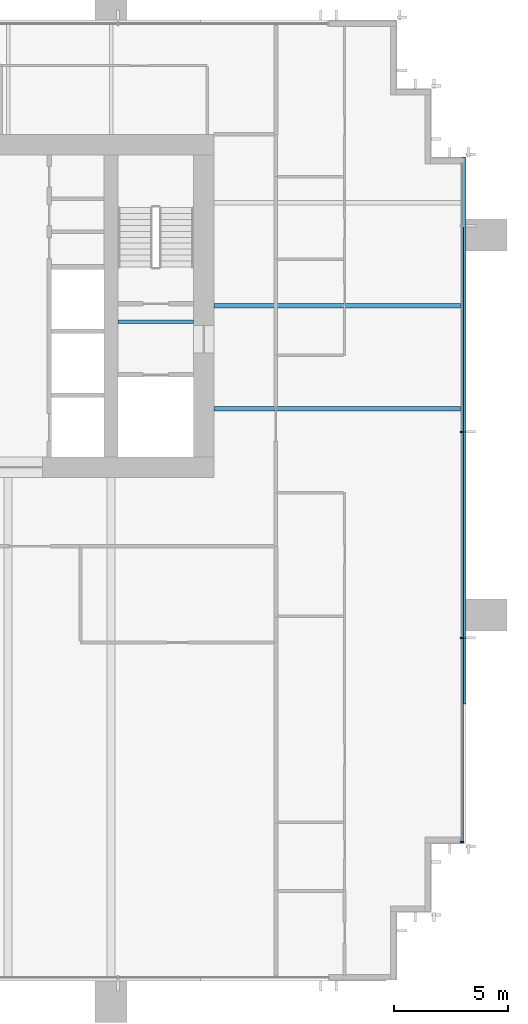
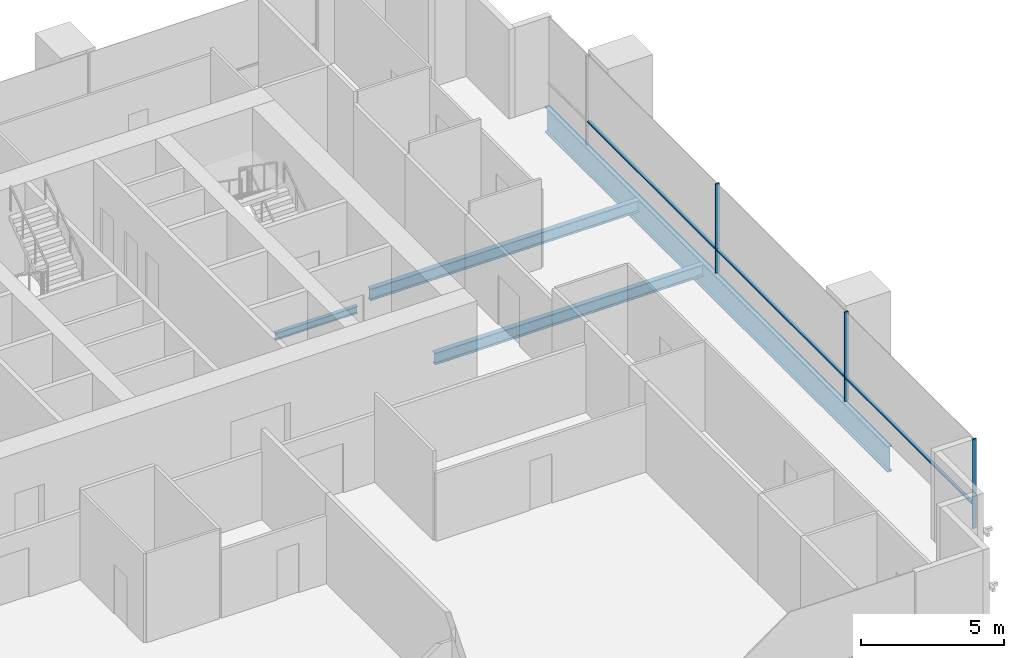
# One storey, part 6 of 16: 6 members, 4 beams, 1 element without a shape of its own.
"""IFC4 building model written with IfcOpenShell, lengths in metres."""

import ifcopenshell
import ifcopenshell.guid

model = None  # the IFC model being written
_history = None  # IfcOwnerHistory: only IFC2X3 demands one
_inside = {}  # id of a spatial element -> (the spatial element, [elements in it])
_under = {}  # id of a project, library or spatial element -> (it, [spatial elements below it])
_declared = {}  # id of a project -> (the project, [libraries it declares])
_typed = {}  # id of a type object -> (the type object, [elements of that type])
_made_of = {}  # id of a material, layer set ... -> (it, [elements and type objects made of it])


def new_model(schema):
    """Start an empty IFC model of exactly this schema.

    Asked for "IFC4X3", IfcOpenShell would pick the latest addendum, in which some entities
    have other attributes; the version numbers below select the first issue.
    IFC2X3 requires an IfcOwnerHistory on every rooted entity: one is made here for all.
    """
    global model, _history
    if schema == "IFC4X3":
        model = ifcopenshell.file(schema_version=(4, 3, 0, 0))
    else:
        model = ifcopenshell.file(schema=schema)
    _inside.clear()
    _under.clear()
    _declared.clear()
    _typed.clear()
    _made_of.clear()
    _history = None
    if model.schema == "IFC2X3":
        org = make("IfcOrganization", Name="unknown")
        user = make(
            "IfcPersonAndOrganization",
            ThePerson=make("IfcPerson", FamilyName="unknown"),
            TheOrganization=org,
        )
        app = make(
            "IfcApplication",
            ApplicationDeveloper=org,
            Version="unknown",
            ApplicationFullName="unknown",
            ApplicationIdentifier="unknown",
        )
        _history = make(
            "IfcOwnerHistory",
            OwningUser=user,
            OwningApplication=app,
            ChangeAction="ADDED",
            CreationDate=0,
        )
    return model


def make(cls, **values):
    """One entity of the class cls with the attributes given. An attribute that is None is left unset."""
    return model.create_entity(
        cls, **{name: value for name, value in values.items() if value is not None}
    )


def rooted(cls, **values):
    """An entity with a GlobalId (a new one), such as an element, a storey or a relation."""
    return make(cls, GlobalId=ifcopenshell.guid.new(), OwnerHistory=_history, **values)


def si_unit(unit_type, name, prefix=None):
    """IfcSIUnit, for example si_unit("LENGTHUNIT", "METRE", prefix="MILLI")."""
    return make("IfcSIUnit", UnitType=unit_type, Prefix=prefix, Name=name)


def assignment(units):
    """IfcUnitAssignment: the units of a project."""
    return None if units is None else make("IfcUnitAssignment", Units=units)


def point(xyz):
    """IfcCartesianPoint."""
    return None if xyz is None else make("IfcCartesianPoint", Coordinates=xyz)


def direction(xyz):
    """IfcDirection."""
    return None if xyz is None else make("IfcDirection", DirectionRatios=xyz)


def frame(location, z_axis=None, x_axis=None):
    """IfcAxis2Placement3D, a coordinate frame: its origin and axes. An axis left out is left unset."""
    return make(
        "IfcAxis2Placement3D",
        Location=point(location),
        Axis=direction(z_axis),
        RefDirection=direction(x_axis),
    )


def frame_2d(location, x_axis=None):
    """IfcAxis2Placement2D, a coordinate frame in the plane: its origin and x axis."""
    return make(
        "IfcAxis2Placement2D", Location=point(location), RefDirection=direction(x_axis)
    )


def origin():
    """The frame at (0, 0, 0) with its axes left unset."""
    return frame((0.0, 0.0, 0.0))


def origin_2d():
    """The frame at (0, 0) in the plane with its x axis left unset."""
    return frame_2d((0.0, 0.0))


def place(relative_to, where):
    """IfcLocalPlacement: puts the frame where relative to a parent placement (None: the world)."""
    return make(
        "IfcLocalPlacement", PlacementRelTo=relative_to, RelativePlacement=where
    )


def context(
    kind, dimensions, precision=None, world=None, true_north=None, identifier=None
):
    """IfcGeometricRepresentationContext, for example the 3D "Model" context."""
    return make(
        "IfcGeometricRepresentationContext",
        ContextIdentifier=identifier,
        ContextType=kind,
        CoordinateSpaceDimension=dimensions,
        Precision=precision,
        WorldCoordinateSystem=world,
        TrueNorth=true_north,
    )


def subcontext(parent, identifier, kind, view, scale=None):
    """IfcGeometricRepresentationSubContext, for example "Body" below "Model"."""
    return make(
        "IfcGeometricRepresentationSubContext",
        ContextIdentifier=identifier,
        ContextType=kind,
        ParentContext=parent,
        TargetScale=scale,
        TargetView=view,
    )


def project(units=None, contexts=None):
    """IfcProject with its units and contexts."""
    return rooted(
        "IfcProject",
        Name="project",
        RepresentationContexts=contexts,
        UnitsInContext=assignment(units),
    )


def spatial(cls, under=None, at=None, **own):
    """A site, building, storey or space (cls), placed at a placement, below another one or the project."""
    s = rooted(cls, ObjectPlacement=at, **own)
    if under is not None:
        _under.setdefault(under.id(), (under, []))[1].append(s)
    return s


def profile(cls, at=None, kind="AREA", **sizes):
    """A parametric profile (cls). Its sizes go by their IFC names, for example OverallWidth=200.0."""
    return make(cls, ProfileType=kind, Position=at, **sizes)


def rectangle(**sizes):
    """IfcRectangleProfileDef."""
    return profile("IfcRectangleProfileDef", **sizes)


def i_section(**sizes):
    """IfcIShapeProfileDef."""
    return profile("IfcIShapeProfileDef", **sizes)


def extrude(swept, where, along, depth):
    """IfcExtrudedAreaSolid: the profile swept, set in the frame where, extruded along a direction by depth."""
    return make(
        "IfcExtrudedAreaSolid",
        SweptArea=swept,
        Position=where,
        ExtrudedDirection=direction(along),
        Depth=depth,
    )


def shape(context_of_items, identifier, shape_type, items):
    """IfcShapeRepresentation: the items that make up one representation, for example the "Body"."""
    return make(
        "IfcShapeRepresentation",
        ContextOfItems=context_of_items,
        RepresentationIdentifier=identifier,
        RepresentationType=shape_type,
        Items=items,
    )


def material(Name=None, Category=None):
    """IfcMaterial."""
    return make("IfcMaterial", Name=Name, Category=Category)


def material_profile(
    of_material, cross_section, Name=None, Category=None, Priority=None
):
    """IfcMaterialProfile: a cross section and its material."""
    return make(
        "IfcMaterialProfile",
        Name=Name,
        Material=of_material,
        Profile=cross_section,
        Priority=Priority,
        Category=Category,
    )


def profile_set(profiles, Name=None, composite=None):
    """IfcMaterialProfileSet."""
    return make(
        "IfcMaterialProfileSet",
        Name=Name,
        MaterialProfiles=profiles,
        CompositeProfile=composite,
    )


def made_of(thing, what):
    """Note that an element or type object is made of a material, layer set ...; save() writes the relation."""
    if what is not None:
        _made_of.setdefault(what.id(), (what, []))[1].append(thing)
    return thing


def type_object(cls, material=None, **own):
    """A type object (cls), such as IfcWallType, which elements share."""
    return made_of(rooted(cls, **own), material)


def element(
    cls,
    number,
    at=None,
    inside=None,
    cuts=None,
    type_object=None,
    material=None,
    context=None,
    identifier="Body",
    shape_type=None,
    held_by="IfcProductDefinitionShape",
    body=None,
    shapes=None,
    **own,
):
    """One element of the class cls, such as IfcWall. Its Tag is "e" and its number.

    at: its placement. inside: the storey or other place that contains it. cuts: it is an
    opening in that element (IfcRelVoidsElement). A single representation is given by context,
    identifier, shape_type and body (its items); several are given by shapes. held_by: the class
    of the entity that holds the representations. save() writes the other relations.
    """
    e = rooted(cls, Tag="e%d" % number, ObjectPlacement=at, **own)
    if body is not None:
        shapes = [shape(context, identifier, shape_type, body)]
    if shapes is not None:
        e.Representation = make(held_by, Representations=shapes)
    if inside is not None:
        _inside.setdefault(inside.id(), (inside, []))[1].append(e)
    if cuts is not None:
        rooted(
            "IfcRelVoidsElement", RelatingBuildingElement=cuts, RelatedOpeningElement=e
        )
    if type_object is not None:
        _typed.setdefault(type_object.id(), (type_object, []))[1].append(e)
    return made_of(e, material)


def aggregate(whole, parts):
    """IfcRelAggregates: a whole, such as a stair, and the parts it consists of."""
    return rooted("IfcRelAggregates", RelatingObject=whole, RelatedObjects=parts)


def save(model, path):
    """Write the relations noted so far, then the file.

    IfcRelAggregates (storeys below a building ...), IfcRelContainedInSpatialStructure (elements
    in a storey), IfcRelDefinesByType, IfcRelAssociatesMaterial and IfcRelDeclares: one each for
    every whole, place, type object, material and project.
    """
    for whole, parts in _under.values():
        aggregate(whole, parts)
    for where, things in _inside.values():
        rooted(
            "IfcRelContainedInSpatialStructure",
            RelatedElements=things,
            RelatingStructure=where,
        )
    for kind, things in _typed.values():
        rooted("IfcRelDefinesByType", RelatedObjects=things, RelatingType=kind)
    for what, things in _made_of.values():
        rooted("IfcRelAssociatesMaterial", RelatedObjects=things, RelatingMaterial=what)
    for by, libraries in _declared.values():
        rooted("IfcRelDeclares", RelatingContext=by, RelatedDefinitions=libraries)
    model.write(path)


model = new_model("IFC4")

# Units and contexts
model_context = context("Model", 3, precision=1e-05, world=origin(), true_north=direction((0.0, 1.0)))
body_context = subcontext(model_context, "Body", "Model", "MODEL_VIEW")
ifc_project = project(units=[si_unit("LENGTHUNIT", "METRE"), si_unit("AREAUNIT", "SQUARE_METRE"), si_unit("VOLUMEUNIT", "CUBIC_METRE"), si_unit("PLANEANGLEUNIT", "RADIAN"), si_unit("MASSUNIT", "GRAM", prefix="KILO")], contexts=[model_context])

# Site, building, storey
site_placement = place(None, origin())
site = spatial("IfcSite", under=ifc_project, at=site_placement, CompositionType="ELEMENT")
building_placement = place(site_placement, origin())
building = spatial("IfcBuilding", under=site, at=building_placement, Name="Rattan Terrace Tower", CompositionType="ELEMENT")
storey_placement = place(building_placement, frame((0.0, 0.0, 130.10009765625)))
storey = spatial("IfcBuildingStorey", under=building, at=storey_placement, Name="L29", CompositionType="ELEMENT", Elevation=130.10009765625)

# Curtain wall, members
ifc_material_1 = material(Name="Aluminium and glass", Category="aluminium")
curtain_wall_type = type_object("IfcCurtainWallType", Name="Facade Unitised Curtain Wall", PredefinedType="NOTDEFINED", material=ifc_material_1)
curtain_wall_placement = place(storey_placement, origin())
curtain_wall = element("IfcCurtainWall", 1, at=curtain_wall_placement, inside=storey, type_object=curtain_wall_type, Name="Curtain wall L29-1", PredefinedType="NOTDEFINED")
ifc_material_2 = material(Name="Aluminium", Category="aluminium")
ifc_material_profile_1 = material_profile(ifc_material_2, rectangle(XDim=0.06005859375, YDim=0.159912109375, at=origin_2d()), Name="Aluminium 60x160")
ifc_profile_set_1 = profile_set([ifc_material_profile_1], Name="Aluminium")
member_type_1 = type_object("IfcMemberType", Name="Facade CW Mullion 60x160", PredefinedType="MULLION", material=ifc_profile_set_1)
member_1_placement = place(storey_placement, frame((28.830078125, -23.425048828125, 0.0), z_axis=(0.0, 0.0, 1.0), x_axis=(0.0, 1.0, 0.0)))
member_1 = element("IfcMember", 2, at=member_1_placement, type_object=member_type_1, Name="Mullion cwl-L29-001.1", PredefinedType="MULLION", context=body_context, shape_type="SweptSolid", body=[
    extrude(rectangle(XDim=0.06005859375, YDim=0.159912109375, at=origin_2d()), origin(), (0.0, 0.0, 1.0), 3.7998046875),
])
member_2_placement = place(storey_placement, frame((28.830078125, -14.5, 0.0), z_axis=(0.0, 0.0, 1.0), x_axis=(0.0, 1.0, 0.0)))
member_2 = element("IfcMember", 3, at=member_2_placement, type_object=member_type_1, Name="Mullion cwl-L29-001.2", PredefinedType="MULLION", context=body_context, shape_type="SweptSolid", body=[
    extrude(rectangle(XDim=0.06005859375, YDim=0.159912109375, at=origin_2d()), origin(), (0.0, 0.0, 1.0), 3.7998046875),
])
member_3_placement = place(storey_placement, frame((28.830078125, -5.5, 0.0), z_axis=(0.0, 0.0, 1.0), x_axis=(0.0, 1.0, 0.0)))
member_3 = element("IfcMember", 4, at=member_3_placement, type_object=member_type_1, Name="Mullion cwl-L29-001.3", PredefinedType="MULLION", context=body_context, shape_type="SweptSolid", body=[
    extrude(rectangle(XDim=0.06005859375, YDim=0.159912109375, at=origin_2d()), origin(), (0.0, 0.0, 1.0), 3.7998046875),
])
ifc_material_3 = material(Name="Aluminium", Category="aluminium")
ifc_material_profile_2 = material_profile(ifc_material_3, rectangle(XDim=0.1201171875, YDim=0.06005859375, at=origin_2d()), Name="Aluminium 120x60")
ifc_profile_set_2 = profile_set([ifc_material_profile_2], Name="Aluminium")
member_type_2 = type_object("IfcMemberType", Name="Facade CW Transom 120x60", PredefinedType="USERDEFINED", material=ifc_profile_set_2)
member_4_placement = place(storey_placement, frame((28.830078125, -23.39501953125, 1.0), z_axis=(0.0, 1.0, 0.0), x_axis=(-1.0, 0.0, 0.0)))
member_4 = element("IfcMember", 5, at=member_4_placement, type_object=member_type_2, Name="Transom cwl-L29-001.1", ObjectType="TRANSOM", PredefinedType="USERDEFINED", context=body_context, shape_type="SweptSolid", body=[
    extrude(rectangle(XDim=0.1201171875, YDim=0.06005859375, at=origin_2d()), origin(), (0.0, 0.0, 1.0), 8.864990234375),
])
member_5_placement = place(storey_placement, frame((28.830078125, -14.469970703125, 1.0), z_axis=(0.0, 1.0, 0.0), x_axis=(-1.0, 0.0, 0.0)))
member_5 = element("IfcMember", 6, at=member_5_placement, type_object=member_type_2, Name="Transom cwl-L29-001.2", ObjectType="TRANSOM", PredefinedType="USERDEFINED", context=body_context, shape_type="SweptSolid", body=[
    extrude(rectangle(XDim=0.1201171875, YDim=0.06005859375, at=origin_2d()), origin(), (0.0, 0.0, 1.0), 8.93994140625),
])
member_6_placement = place(storey_placement, frame((28.830078125, -5.469970703125, 1.0), z_axis=(0.0, 1.0, 0.0), x_axis=(-1.0, 0.0, 0.0)))
member_6 = element("IfcMember", 7, at=member_6_placement, type_object=member_type_2, Name="Transom cwl-L29-001.3", ObjectType="TRANSOM", PredefinedType="USERDEFINED", context=body_context, shape_type="SweptSolid", body=[
    extrude(rectangle(XDim=0.1201171875, YDim=0.06005859375, at=origin_2d()), origin(), (0.0, 0.0, 1.0), 8.93994140625),
])
aggregate(curtain_wall, [member_1, member_2, member_3, member_4, member_5, member_6])

# Beams
ifc_material_4 = material(Name="Steel S460", Category="steel")
ifc_material_profile_3 = material_profile(ifc_material_4, i_section(OverallWidth=0.179931640625, OverallDepth=1.10009765625, WebThickness=0.01611328125, FlangeThickness=0.050048828125, at=origin_2d()), Name="PG 1100x180-16-50")
ifc_profile_set_3 = profile_set([ifc_material_profile_3], Name="Steel S460")
beam_type_1 = type_object("IfcBeamType", Name="Frame edge girder PG 1100x180-16-50", PredefinedType="SPANDREL", material=ifc_profile_set_3)
beam_1_placement = place(storey_placement, frame((28.909912109375, 6.5, -0.75), z_axis=(0.0, -1.0, 0.0), x_axis=(1.0, 0.0, 0.0)))
element("IfcBeam", 8, at=beam_1_placement, inside=storey, type_object=beam_type_1, Name="gdr-L29-004", PredefinedType="SPANDREL", context=body_context, shape_type="SweptSolid", body=[
    extrude(i_section(OverallWidth=0.179931640625, OverallDepth=1.10009765625, WebThickness=0.01611328125, FlangeThickness=0.050048828125, at=origin_2d()), origin(), (0.0, 0.0, 1.0), 23.89990234375),
])
ifc_material_5 = material(Name="Steel S355", Category="steel")
ifc_material_profile_4 = material_profile(ifc_material_5, i_section(OverallWidth=0.14990234375, OverallDepth=0.300048828125, WebThickness=0.007080078125, FlangeThickness=0.0107421875, FilletRadius=0.014892578125, at=origin_2d()), Name="IPE 300")
ifc_profile_set_4 = profile_set([ifc_material_profile_4], Name="Steel S355")
beam_type_2 = type_object("IfcBeamType", Name="Frame floor beam IPE 300", PredefinedType="JOIST", material=ifc_profile_set_4)
beam_2_placement = place(storey_placement, frame((13.800048828125, -0.695068359375, -0.35009765625), z_axis=(1.0, 0.0, 0.0), x_axis=(0.0, 1.0, 0.0)))
element("IfcBeam", 9, at=beam_2_placement, inside=storey, type_object=beam_type_2, Name="bm-L29-002", PredefinedType="JOIST", context=body_context, shape_type="SweptSolid", body=[
    extrude(i_section(OverallWidth=0.14990234375, OverallDepth=0.300048828125, WebThickness=0.007080078125, FlangeThickness=0.0107421875, FilletRadius=0.014892578125, at=origin_2d()), origin(), (0.0, 0.0, 1.0), 3.300048828125),
])
ifc_material_6 = material(Name="Steel S355", Category="steel")
ifc_material_profile_5 = material_profile(ifc_material_6, i_section(OverallWidth=0.199951171875, OverallDepth=0.5, WebThickness=0.01025390625, FlangeThickness=0.01611328125, FilletRadius=0.02099609375, at=origin_2d()), Name="IPE 500")
ifc_profile_set_5 = profile_set([ifc_material_profile_5], Name="Steel S355")
beam_type_3 = type_object("IfcBeamType", Name="Frame floor beam IPE 500", PredefinedType="JOIST", material=ifc_profile_set_5)
for number, where, z_axis, x_axis, name in (
    (10, (18.0, -4.5, -0.4501953125), (1.0, 0.0, 0.0), (0.0, 1.0, 0.0), "bm-L29-011"),
    (11, (18.0, 0.0, -0.4501953125), (1.0, 0.0, 0.0), (0.0, 1.0, 0.0), "bm-L29-013"),
):
    element("IfcBeam", number, at=place(storey_placement, frame(where, z_axis=z_axis, x_axis=x_axis)), inside=storey, type_object=beam_type_3, Name=name, PredefinedType="JOIST", context=body_context, shape_type="SweptSolid", body=[
        extrude(i_section(OverallWidth=0.199951171875, OverallDepth=0.5, WebThickness=0.01025390625, FlangeThickness=0.01611328125, FilletRadius=0.02099609375, at=origin_2d()), origin(), (0.0, 0.0, 1.0), 10.820068359375),
    ])

save(model, "model.ifc")
